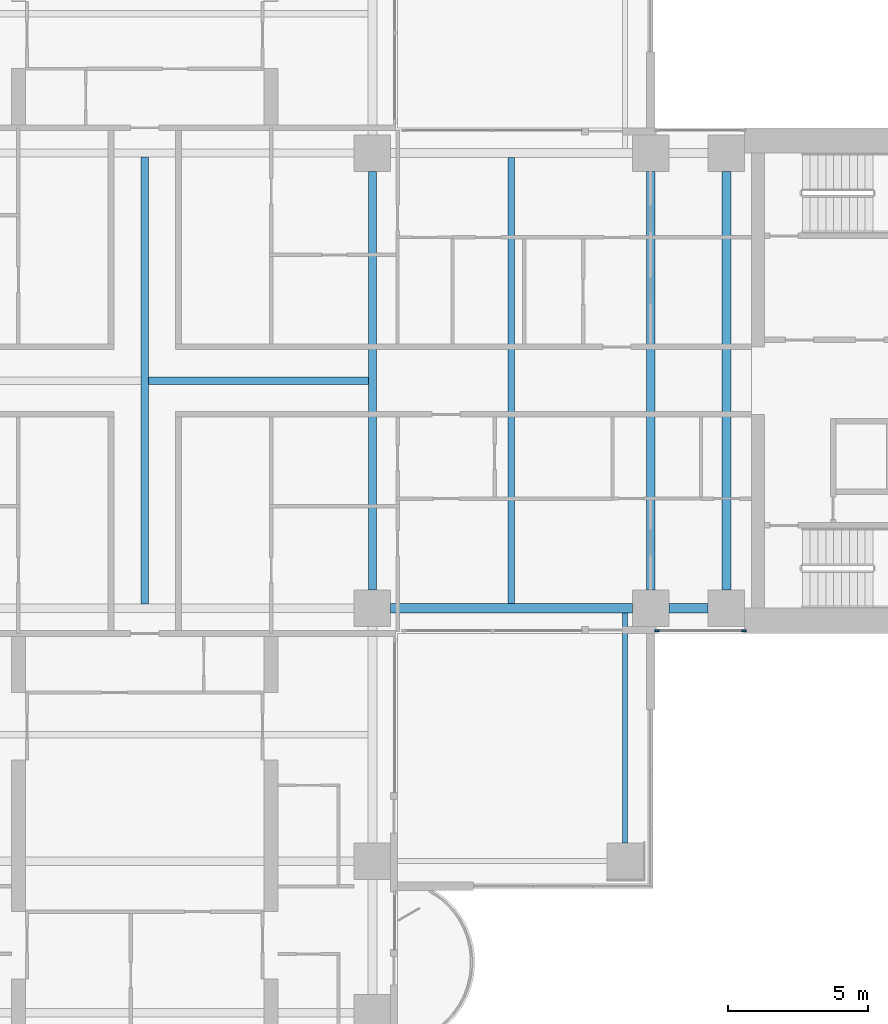
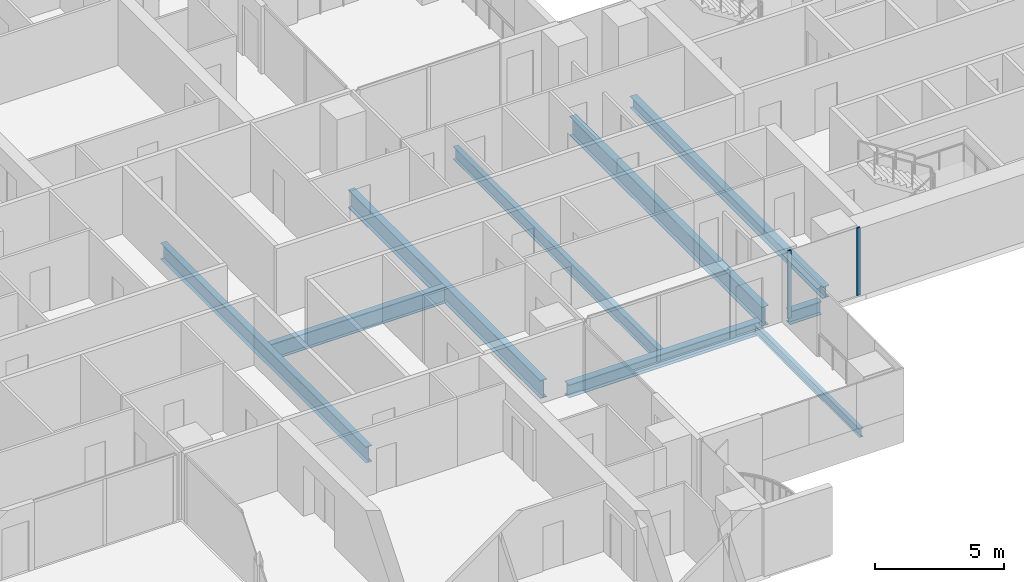
# One storey, part 4 of 21: 9 beams, 2 members, 1 element without a shape of its own.
"""IFC4 building model written with IfcOpenShell, lengths in metres."""

from ifc_helpers import new_model, si_unit, direction, frame, origin, origin_2d, place, context, subcontext, project, spatial, rectangle, i_section, extrude, material, material_profile, profile_set, type_object, element, aggregate, save


model = new_model("IFC4")

# Units and contexts
model_context = context("Model", 3, precision=1e-05, world=origin(), true_north=direction((0.0, 1.0)))
body_context = subcontext(model_context, "Body", "Model", "MODEL_VIEW")
ifc_project = project(units=[si_unit("LENGTHUNIT", "METRE"), si_unit("AREAUNIT", "SQUARE_METRE"), si_unit("VOLUMEUNIT", "CUBIC_METRE"), si_unit("PLANEANGLEUNIT", "RADIAN"), si_unit("MASSUNIT", "GRAM", prefix="KILO")], contexts=[model_context])

# Site, building, storey
site_placement = place(None, origin())
site = spatial("IfcSite", under=ifc_project, at=site_placement, CompositionType="ELEMENT")
building_placement = place(site_placement, origin())
building = spatial("IfcBuilding", under=site, at=building_placement, Name="Perihelion Cross Residences", CompositionType="ELEMENT")
storey_placement = place(building_placement, frame((0.0, 0.0, 89.0)))
storey = spatial("IfcBuildingStorey", under=building, at=storey_placement, Name="L20", CompositionType="ELEMENT", Elevation=89.0)

# Curtain wall, members
ifc_material_1 = material(Name="Bronze anodised aluminium, tinted glazing", Category="aluminium")
curtain_wall_type = type_object("IfcCurtainWallType", Name="CW1", PredefinedType="NOTDEFINED", material=ifc_material_1)
curtain_wall_placement = place(storey_placement, origin())
curtain_wall = element("IfcCurtainWall", 1, at=curtain_wall_placement, inside=storey, type_object=curtain_wall_type, Name="Curtain wall CW1 L20 east side south bay 2", PredefinedType="NOTDEFINED")
ifc_material_2 = material(Name="Bronze anodised aluminium", Category="aluminium")
ifc_material_profile_1 = material_profile(ifc_material_2, rectangle(XDim=0.06005859375, YDim=0.159912109375, at=origin_2d()), Name="CW1 mullion")
ifc_profile_set_1 = profile_set([ifc_material_profile_1], Name="Bronze anodised aluminium")
member_type = type_object("IfcMemberType", Name="CW1 mullion", PredefinedType="MULLION", material=ifc_profile_set_1)
member_1_placement = place(storey_placement, frame((18.22998046875, -8.89990234375, 0.0), z_axis=(0.0, 0.0, 1.0), x_axis=(0.0, 1.0, 0.0)))
member_1 = element("IfcMember", 2, at=member_1_placement, type_object=member_type, Name="CW1 mullion 1", PredefinedType="MULLION", context=body_context, shape_type="SweptSolid", body=[
    extrude(rectangle(XDim=0.06005859375, YDim=0.159912109375, at=origin_2d()), origin(), (0.0, 0.0, 1.0), 3.199951171875),
])
member_2_placement = place(storey_placement, frame((21.320068359375, -8.89990234375, 0.0), z_axis=(0.0, 0.0, 1.0), x_axis=(0.0, 1.0, 0.0)))
member_2 = element("IfcMember", 3, at=member_2_placement, type_object=member_type, Name="CW1 mullion 2", PredefinedType="MULLION", context=body_context, shape_type="SweptSolid", body=[
    extrude(rectangle(XDim=0.06005859375, YDim=0.159912109375, at=origin_2d()), origin(), (0.0, 0.0, 1.0), 3.199951171875),
])
aggregate(curtain_wall, [member_1, member_2])

# Beams
ifc_material_3 = material(Name="Steel S355", Category="steel")
ifc_material_profile_2 = material_profile(ifc_material_3, i_section(OverallWidth=0.177978515625, OverallDepth=0.406005859375, WebThickness=0.0078125, FlangeThickness=0.0126953125, at=origin_2d()), Name="W410x60")
ifc_profile_set_2 = profile_set([ifc_material_profile_2], Name="Steel S355")
beam_type_1 = type_object("IfcBeamType", Name="Core edge beam W410x60", PredefinedType="BEAM", material=ifc_profile_set_2)
beam_1_placement = place(storey_placement, frame((17.10009765625, -8.262451171875, -0.452880859375), z_axis=(0.0, -1.0, 0.0), x_axis=(1.0, 0.0, 0.0)))
element("IfcBeam", 4, at=beam_1_placement, inside=storey, type_object=beam_type_1, Name="Core edge beam TB2 L20 corner no. 5", PredefinedType="BEAM", context=body_context, shape_type="SweptSolid", body=[
    extrude(i_section(OverallWidth=0.177978515625, OverallDepth=0.406005859375, WebThickness=0.0078125, FlangeThickness=0.0126953125, at=origin_2d()), origin(), (0.0, 0.0, 1.0), 8.1875),
])
ifc_material_4 = material(Name="Steel S355", Category="steel")
ifc_material_profile_3 = material_profile(ifc_material_4, i_section(OverallWidth=0.31201171875, OverallDepth=0.5439453125, WebThickness=0.0126953125, FlangeThickness=0.020263671875, at=origin_2d()), Name="W530x150")
ifc_profile_set_3 = profile_set([ifc_material_profile_3], Name="Steel S355")
beam_type_2 = type_object("IfcBeamType", Name="Core edge beam W530x150", PredefinedType="BEAM", material=ifc_profile_set_3)
beam_2_placement = place(storey_placement, frame((20.699951171875, -7.449951171875, -0.52197265625), z_axis=(0.0, 1.0, 0.0), x_axis=(-1.0, 0.0, 0.0)))
element("IfcBeam", 5, at=beam_2_placement, inside=storey, type_object=beam_type_2, Name="Core edge beam TB4 L20 no. 2", PredefinedType="BEAM", context=body_context, shape_type="SweptSolid", body=[
    extrude(i_section(OverallWidth=0.31201171875, OverallDepth=0.5439453125, WebThickness=0.0126953125, FlangeThickness=0.020263671875, at=origin_2d()), origin(), (0.0, 0.0, 1.0), 14.89990234375),
])
ifc_material_5 = material(Name="Steel S355", Category="steel")
ifc_material_profile_4 = material_profile(ifc_material_5, i_section(OverallWidth=0.324951171875, OverallDepth=0.616943359375, WebThickness=0.013916015625, FlangeThickness=0.021484375, at=origin_2d()), Name="W610x174")
ifc_profile_set_4 = profile_set([ifc_material_profile_4], Name="Steel S355")
beam_type_3 = type_object("IfcBeamType", Name="Edge beam W610x174", PredefinedType="SPANDREL", material=ifc_profile_set_4)
beam_3_placement = place(storey_placement, frame((8.75, -8.10009765625, -0.55859375), z_axis=(1.0, 0.0, 0.0), x_axis=(0.0, 1.0, 0.0)))
element("IfcBeam", 6, at=beam_3_placement, inside=storey, type_object=beam_type_3, Name="Edge beam SB2 L20 no. 18", PredefinedType="SPANDREL", context=body_context, shape_type="SweptSolid", body=[
    extrude(i_section(OverallWidth=0.324951171875, OverallDepth=0.616943359375, WebThickness=0.013916015625, FlangeThickness=0.021484375, at=origin_2d()), origin(), (0.0, 0.0, 1.0), 8.60009765625),
])
beam_4_placement = place(storey_placement, frame((18.64990234375, -8.10009765625, -0.55859375), z_axis=(1.0, 0.0, 0.0), x_axis=(0.0, 1.0, 0.0)))
element("IfcBeam", 7, at=beam_4_placement, inside=storey, type_object=beam_type_3, Name="Edge beam SB2 L20 no. 12", PredefinedType="SPANDREL", context=body_context, shape_type="SweptSolid", body=[
    extrude(i_section(OverallWidth=0.324951171875, OverallDepth=0.616943359375, WebThickness=0.013916015625, FlangeThickness=0.021484375, at=origin_2d()), origin(), (0.0, 0.0, 1.0), 1.400146484375),
])
ifc_material_6 = material(Name="Steel S355", Category="steel")
ifc_material_profile_5 = material_profile(ifc_material_6, i_section(OverallWidth=0.304931640625, OverallDepth=0.904052734375, WebThickness=0.01513671875, FlangeThickness=0.02001953125, at=origin_2d()), Name="W920x201")
ifc_profile_set_5 = profile_set([ifc_material_profile_5], Name="Steel S355")
beam_type_4 = type_object("IfcBeamType", Name="Floor girder W920x201", PredefinedType="BEAM", material=ifc_profile_set_5)
beam_5_placement = place(storey_placement, frame((18.0, -7.449951171875, -0.701904296875), z_axis=(0.0, 1.0, 0.0), x_axis=(-1.0, 0.0, 0.0)))
element("IfcBeam", 8, at=beam_5_placement, inside=storey, type_object=beam_type_4, Name="Girder G2 L20 no. 2", PredefinedType="BEAM", context=body_context, shape_type="SweptSolid", body=[
    extrude(i_section(OverallWidth=0.304931640625, OverallDepth=0.904052734375, WebThickness=0.01513671875, FlangeThickness=0.02001953125, at=origin_2d()), origin(), (0.0, 0.0, 1.0), 14.89990234375),
])
ifc_material_7 = material(Name="Steel S355", Category="steel")
ifc_material_profile_6 = material_profile(ifc_material_7, i_section(OverallWidth=0.22900390625, OverallDepth=0.612060546875, WebThickness=0.011962890625, FlangeThickness=0.01953125, at=origin_2d()), Name="W610x125")
ifc_profile_set_6 = profile_set([ifc_material_profile_6], Name="Steel S355")
beam_type_5 = type_object("IfcBeamType", Name="Floor joist W610x125", PredefinedType="JOIST", material=ifc_profile_set_6)
beam_6_placement = place(storey_placement, frame((13.050048828125, -7.9375, -0.555908203125), z_axis=(0.0, 1.0, 0.0), x_axis=(-1.0, 0.0, 0.0)))
element("IfcBeam", 9, at=beam_6_placement, inside=storey, type_object=beam_type_5, Name="Joist J3 L20 no. 2", PredefinedType="JOIST", context=body_context, shape_type="SweptSolid", body=[
    extrude(i_section(OverallWidth=0.22900390625, OverallDepth=0.612060546875, WebThickness=0.011962890625, FlangeThickness=0.01953125, at=origin_2d()), origin(), (0.0, 0.0, 1.0), 15.875),
])
ifc_material_8 = material(Name="Steel S355", Category="steel")
ifc_material_profile_7 = material_profile(ifc_material_8, i_section(OverallWidth=0.26708984375, OverallDepth=0.77001953125, WebThickness=0.015625, FlangeThickness=0.025390625, at=origin_2d()), Name="W760x196")
ifc_profile_set_7 = profile_set([ifc_material_profile_7], Name="Steel S355")
beam_type_6 = type_object("IfcBeamType", Name="Hub cross beam W760x196", PredefinedType="BEAM", material=ifc_profile_set_7)
beam_7_placement = place(storey_placement, frame((0.0, -7.9541015625, -0.635009765625), z_axis=(0.0, 1.0, 0.0), x_axis=(-1.0, 0.0, 0.0)))
element("IfcBeam", 10, at=beam_7_placement, inside=storey, type_object=beam_type_6, Name="Hub cross beam XB2 L20 no. 1", PredefinedType="BEAM", context=body_context, shape_type="SweptSolid", body=[
    extrude(i_section(OverallWidth=0.26708984375, OverallDepth=0.77001953125, WebThickness=0.015625, FlangeThickness=0.025390625, at=origin_2d()), origin(), (0.0, 0.0, 1.0), 15.908203125),
])
beam_8_placement = place(storey_placement, frame((0.133544921875, 0.0, -0.635009765625), z_axis=(1.0, 0.0, 0.0), x_axis=(0.0, 1.0, 0.0)))
element("IfcBeam", 11, at=beam_8_placement, inside=storey, type_object=beam_type_6, Name="Hub cross beam XB2 L20 2 no. 1", PredefinedType="BEAM", context=body_context, shape_type="SweptSolid", body=[
    extrude(i_section(OverallWidth=0.26708984375, OverallDepth=0.77001953125, WebThickness=0.015625, FlangeThickness=0.025390625, at=origin_2d()), origin(), (0.0, 0.0, 1.0), 7.820556640625),
])
ifc_material_9 = material(Name="Steel S355", Category="steel")
ifc_material_profile_8 = material_profile(ifc_material_9, i_section(OverallWidth=0.2919921875, OverallDepth=0.85888671875, WebThickness=0.01708984375, FlangeThickness=0.031005859375, at=origin_2d()), Name="W840x251")
ifc_profile_set_8 = profile_set([ifc_material_profile_8], Name="Steel S355")
beam_type_7 = type_object("IfcBeamType", Name="Hub ring girder W840x251", PredefinedType="BEAM", material=ifc_profile_set_8)
beam_9_placement = place(storey_placement, frame((8.10009765625, -7.449951171875, -0.679443359375), z_axis=(0.0, 1.0, 0.0), x_axis=(-1.0, 0.0, 0.0)))
element("IfcBeam", 12, at=beam_9_placement, inside=storey, type_object=beam_type_7, Name="Hub ring girder RG2 L20 no. 3", PredefinedType="BEAM", context=body_context, shape_type="SweptSolid", body=[
    extrude(i_section(OverallWidth=0.2919921875, OverallDepth=0.85888671875, WebThickness=0.01708984375, FlangeThickness=0.031005859375, at=origin_2d()), origin(), (0.0, 0.0, 1.0), 14.89990234375),
])

save(model, "model.ifc")
